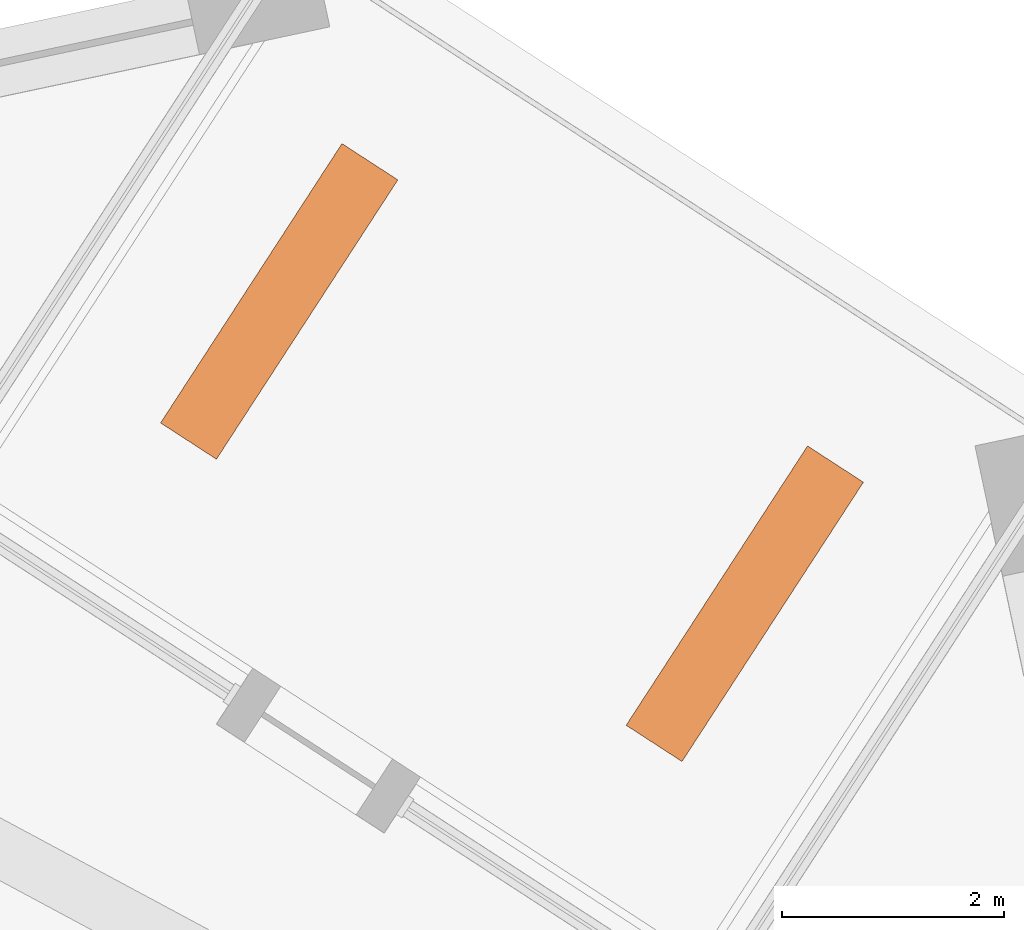
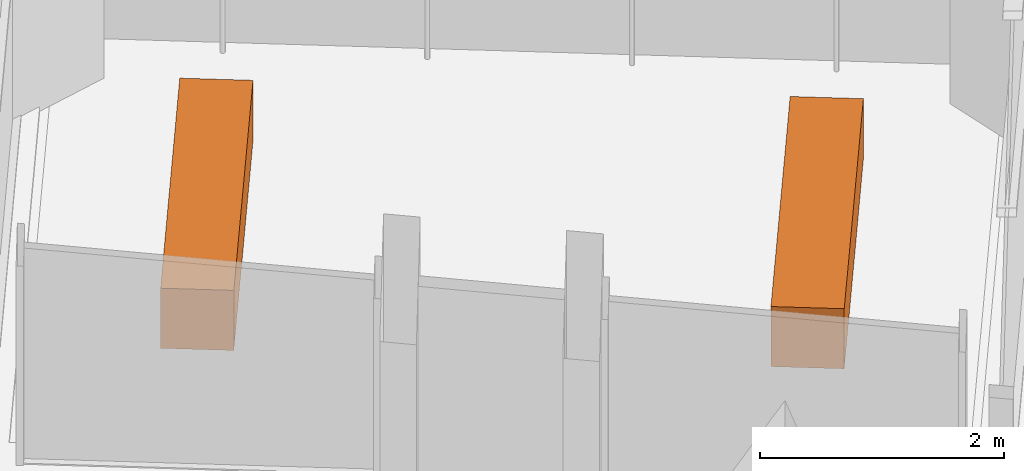
# One storey, part 10 of 10: 2 proxies.
"""IFC4 building model written with IfcOpenShell, lengths in metres."""

from ifc_helpers import new_model, si_unit, direction, frame, origin, origin_2d, place, context, subcontext, project, spatial, rectangle, extrude, element, save


model = new_model("IFC4")

# Units and contexts
model_context = context("Model", 3, precision=1e-05, world=origin(), true_north=direction((0.0, 1.0)))
body_context = subcontext(model_context, "Body", "Model", "MODEL_VIEW")
ifc_project = project(units=[si_unit("LENGTHUNIT", "METRE"), si_unit("AREAUNIT", "SQUARE_METRE"), si_unit("VOLUMEUNIT", "CUBIC_METRE"), si_unit("PLANEANGLEUNIT", "RADIAN"), si_unit("MASSUNIT", "GRAM", prefix="KILO")], contexts=[model_context])

# Site, building, storey
site_placement = place(None, origin())
site = spatial("IfcSite", under=ifc_project, at=site_placement, CompositionType="ELEMENT")
building_placement = place(site_placement, origin())
building = spatial("IfcBuilding", under=site, at=building_placement, Name="Dilmun Exchange Tower", CompositionType="ELEMENT")
storey_placement = place(building_placement, frame((0.0, 0.0, 68.10009765625)))
storey = spatial("IfcBuildingStorey", under=building, at=storey_placement, Name="L15", CompositionType="ELEMENT", Elevation=68.10009765625)

# Proxies
for number, where, z_axis, x_axis, name in (
    (1, (21.58984375, 28.6552734375, -0.000244140625), (0.0, 0.0, 1.0), (0.544639035015, 0.838670567945, 0.0), "PLANTER Date palm L15.1"),
    (2, (17.396484375, 31.37841796875, -0.000244140625), (0.0, 0.0, 1.0), (0.544639035015, 0.838670567945, 0.0), "PLANTER Date palm L15.2"),
):
    element("IfcBuildingElementProxy", number, at=place(storey_placement, frame(where, z_axis=z_axis, x_axis=x_axis)), inside=storey, Name=name, ObjectType="PLANTER", PredefinedType="USERDEFINED", context=body_context, shape_type="SweptSolid", body=[
        extrude(rectangle(XDim=3.0, YDim=0.60009765625, at=origin_2d()), origin(), (0.0, 0.0, 1.0), 0.60009765625),
    ])

save(model, "model.ifc")
